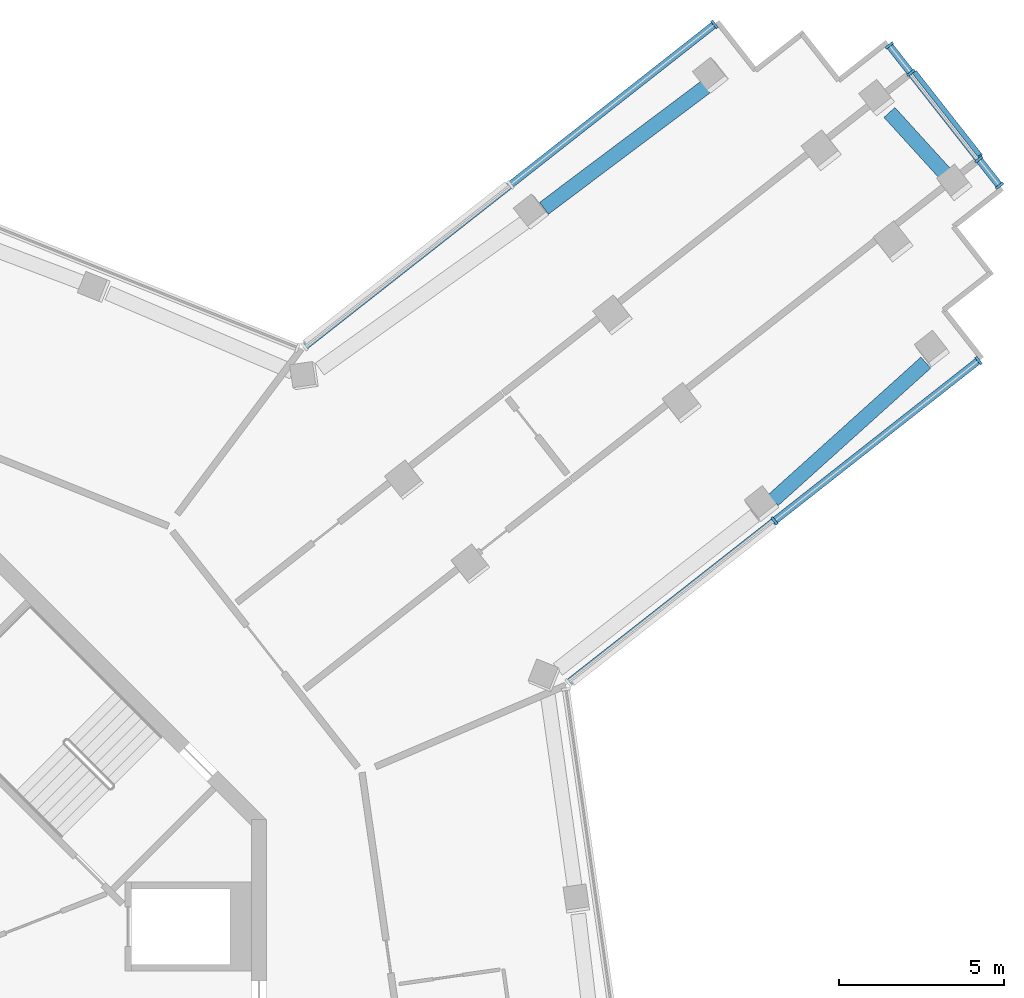
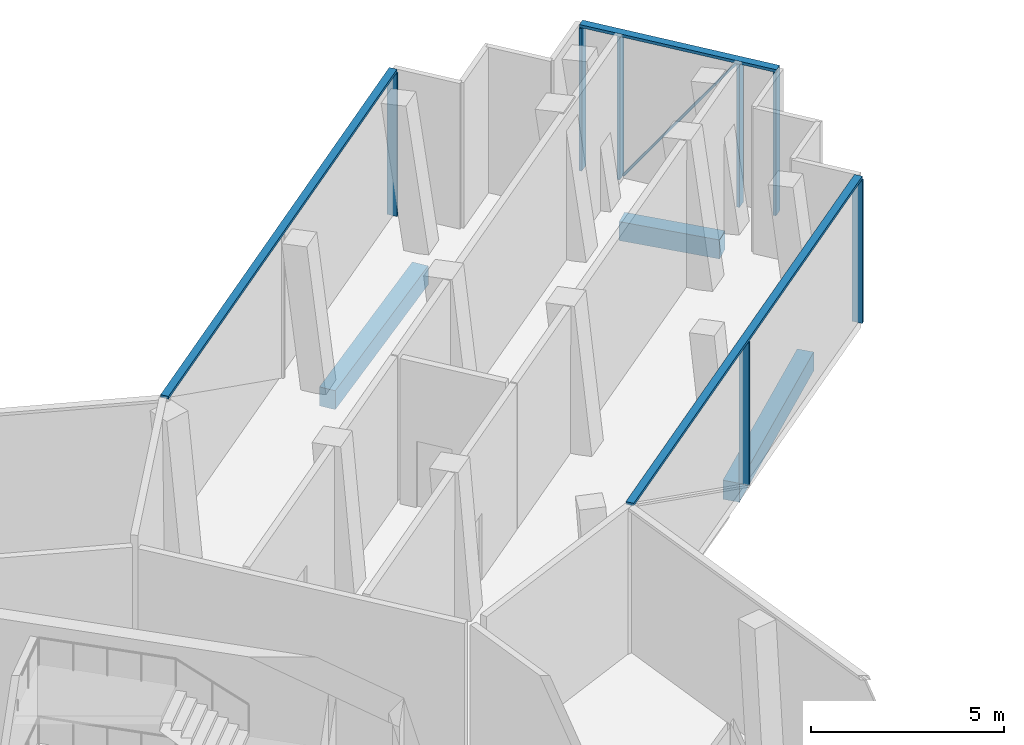
# One storey, part 6 of 19: 11 members, 3 beams, 3 elements without a shape of their own.
"""IFC4 building model written with IfcOpenShell, lengths in metres."""

from ifc_helpers import new_model, si_unit, direction, frame, origin, origin_2d, place, context, subcontext, project, spatial, rectangle, extrude, material, layer, layer_set, material_profile, profile_set, type_object, element, aggregate, save


model = new_model("IFC4")

# Units and contexts
model_context = context("Model", 3, precision=1e-05, world=origin(), true_north=direction((0.0, 1.0)))
body_context = subcontext(model_context, "Body", "Model", "MODEL_VIEW")
ifc_project = project(units=[si_unit("LENGTHUNIT", "METRE"), si_unit("AREAUNIT", "SQUARE_METRE"), si_unit("VOLUMEUNIT", "CUBIC_METRE"), si_unit("PLANEANGLEUNIT", "RADIAN"), si_unit("MASSUNIT", "GRAM", prefix="KILO")], contexts=[model_context])

# Site, building, storey
site_placement = place(None, origin())
site = spatial("IfcSite", under=ifc_project, at=site_placement, CompositionType="ELEMENT")
building_placement = place(site_placement, origin())
building = spatial("IfcBuilding", under=site, at=building_placement, Name="Verdalira Terraces Hotel", CompositionType="ELEMENT")
storey_placement = place(building_placement, frame((0.0, 0.0, 310.0)))
storey = spatial("IfcBuildingStorey", under=building, at=storey_placement, Name="L77", CompositionType="ELEMENT", Elevation=310.0)

# Curtain wall, members
ifc_material_1 = material(Name="Clear glass", Category="glass")
ifc_layer = layer(ifc_material_1, 0.280029296875)
ifc_layer_set = layer_set([ifc_layer], Name="CW6 curtain wall")
curtain_wall_type = type_object("IfcCurtainWallType", Name="CW6 curtain wall", PredefinedType="NOTDEFINED", material=ifc_layer_set)
curtain_wall_1_placement = place(storey_placement, origin())
curtain_wall_1 = element("IfcCurtainWall", 1, at=curtain_wall_1_placement, inside=storey, type_object=curtain_wall_type, Name="CW6 curtain wall L77 edge 28", PredefinedType="NOTDEFINED")
ifc_material_2 = material(Name="Terracotta frame", Category="masonry")
ifc_material_profile_1 = material_profile(ifc_material_2, rectangle(XDim=0.080078, YDim=0.280029, at=origin_2d()), Name="MU 80x280")
ifc_profile_set_1 = profile_set([ifc_material_profile_1], Name="Terracotta frame")
member_type_1 = type_object("IfcMemberType", Name="CW6 mullion 80x280", PredefinedType="MULLION", material=ifc_profile_set_1)
member_1_placement = place(storey_placement, frame((29.429932, 14.871826, 0.0), z_axis=(0.0, 0.0, 1.0), x_axis=(0.786288432, 0.617859613, 0.0)))
member_1 = element("IfcMember", 2, at=member_1_placement, type_object=member_type_1, Name="CW6 mullion", PredefinedType="MULLION", context=body_context, shape_type="SweptSolid", body=[
    extrude(rectangle(XDim=0.080078, YDim=0.280029, at=origin_2d()), origin(), (0.0, 0.0, 1.0), 4.51001),
])
member_2_placement = place(storey_placement, frame((35.626465, 19.741211, 0.0), z_axis=(0.0, 0.0, 1.0), x_axis=(0.786288432, 0.617859613, 0.0)))
member_2 = element("IfcMember", 3, at=member_2_placement, type_object=member_type_1, Name="CW6 mullion", PredefinedType="MULLION", context=body_context, shape_type="SweptSolid", body=[
    extrude(rectangle(XDim=0.080078, YDim=0.280029, at=origin_2d()), origin(), (0.0, 0.0, 1.0), 4.51001),
])

curtain_wall_2_placement = place(storey_placement, origin())
curtain_wall_2 = element("IfcCurtainWall", 4, at=curtain_wall_2_placement, inside=storey, type_object=curtain_wall_type, Name="CW6 curtain wall L77 edge 33", PredefinedType="NOTDEFINED")
member_3_placement = place(storey_placement, frame((36.263184, 25.048828, 0.0), z_axis=(0.0, 0.0, 1.0), x_axis=(-0.617859613, 0.786288432, 0.0)))
member_3 = element("IfcMember", 5, at=member_3_placement, type_object=member_type_1, Name="CW6 mullion", PredefinedType="MULLION", context=body_context, shape_type="SweptSolid", body=[
    extrude(rectangle(XDim=0.080078, YDim=0.280029, at=origin_2d()), origin(), (0.0, 0.0, 1.0), 4.51001),
])
member_4_placement = place(storey_placement, frame((35.633789, 25.849609, 0.0), z_axis=(0.0, 0.0, 1.0), x_axis=(-0.617859613, 0.786288432, 0.0)))
member_4 = element("IfcMember", 6, at=member_4_placement, type_object=member_type_1, Name="CW6 mullion", PredefinedType="MULLION", context=body_context, shape_type="SweptSolid", body=[
    extrude(rectangle(XDim=0.080078, YDim=0.280029, at=origin_2d()), origin(), (0.0, 0.0, 1.0), 4.51001),
])
member_5_placement = place(storey_placement, frame((33.569824, 28.476318, 0.0), z_axis=(0.0, 0.0, 1.0), x_axis=(-0.617859613, 0.786288432, 0.0)))
member_5 = element("IfcMember", 7, at=member_5_placement, type_object=member_type_1, Name="CW6 mullion", PredefinedType="MULLION", context=body_context, shape_type="SweptSolid", body=[
    extrude(rectangle(XDim=0.080078, YDim=0.280029, at=origin_2d()), origin(), (0.0, 0.0, 1.0), 4.51001),
])
member_6_placement = place(storey_placement, frame((32.914307, 29.310547, 0.0), z_axis=(0.0, 0.0, 1.0), x_axis=(-0.617859613, 0.786288432, 0.0)))
member_6 = element("IfcMember", 8, at=member_6_placement, type_object=member_type_1, Name="CW6 mullion", PredefinedType="MULLION", context=body_context, shape_type="SweptSolid", body=[
    extrude(rectangle(XDim=0.080078, YDim=0.280029, at=origin_2d()), origin(), (0.0, 0.0, 1.0), 4.51001),
])

# Curtain wall, member
curtain_wall_3_placement = place(storey_placement, origin())
curtain_wall_3 = element("IfcCurtainWall", 9, at=curtain_wall_3_placement, inside=storey, type_object=curtain_wall_type, Name="CW6 curtain wall L77 edge 38", PredefinedType="NOTDEFINED")
member_7_placement = place(storey_placement, frame((27.606689, 29.947266, 0.0), z_axis=(0.0, 0.0, 1.0), x_axis=(-0.786288432, -0.617859613, 0.0)))
member_7 = element("IfcMember", 10, at=member_7_placement, type_object=member_type_1, Name="CW6 mullion", PredefinedType="MULLION", context=body_context, shape_type="SweptSolid", body=[
    extrude(rectangle(XDim=0.080078, YDim=0.280029, at=origin_2d()), origin(), (0.0, 0.0, 1.0), 4.51001),
])

# Member
ifc_material_3 = material(Name="Terracotta frame", Category="masonry")
ifc_material_profile_2 = material_profile(ifc_material_3, rectangle(XDim=0.219971, YDim=0.090088, at=origin_2d()), Name="TR 90x220")
ifc_profile_set_2 = profile_set([ifc_material_profile_2], Name="Terracotta frame")
member_type_2 = type_object("IfcMemberType", Name="CW6 transom 90x220", PredefinedType="USERDEFINED", material=ifc_profile_set_2)
member_8_placement = place(storey_placement, frame((23.143066, 9.931641, 4.554932), z_axis=(0.786284805, 0.617864229, 0.0), x_axis=(-0.617864229, 0.786284805, 0.0)))
member_8 = element("IfcMember", 11, at=member_8_placement, type_object=member_type_2, Name="CW6 transom", ObjectType="TRANSOM", PredefinedType="USERDEFINED", context=body_context, shape_type="SweptSolid", body=[
    extrude(rectangle(XDim=0.219971, YDim=0.090088, at=origin_2d()), origin(), (0.0, 0.0, 1.0), 15.916504),
])

aggregate(curtain_wall_1, [member_1, member_2, member_8])

member_9_placement = place(storey_placement, frame((36.287842, 25.017334, 4.554932), z_axis=(-0.617845076, 0.786299855, 0.0), x_axis=(-0.786299855, -0.617845076, 0.0)))
member_9 = element("IfcMember", 12, at=member_9_placement, type_object=member_type_2, Name="CW6 transom", ObjectType="TRANSOM", PredefinedType="USERDEFINED", context=body_context, shape_type="SweptSolid", body=[
    extrude(rectangle(XDim=0.219971, YDim=0.090088, at=origin_2d()), origin(), (0.0, 0.0, 1.0), 5.5),
])

member_10_placement = place(storey_placement, frame((27.638184, 29.971924, 4.554932), z_axis=(-0.786290661, -0.617856777, 0.0), x_axis=(0.617856777, -0.786290661, 0.0)))
member_10 = element("IfcMember", 13, at=member_10_placement, type_object=member_type_2, Name="CW6 transom", ObjectType="TRANSOM", PredefinedType="USERDEFINED", context=body_context, shape_type="SweptSolid", body=[
    extrude(rectangle(XDim=0.219971, YDim=0.090088, at=origin_2d()), origin(), (0.0, 0.0, 1.0), 15.916748),
])

aggregate(curtain_wall_3, [member_7, member_10])

ifc_material_4 = material(Name="Terracotta frame", Category="masonry")
ifc_material_profile_3 = material_profile(ifc_material_4, rectangle(XDim=0.149902, YDim=0.060059, at=origin_2d()), Name="GB 60x150")
ifc_profile_set_3 = profile_set([ifc_material_profile_3], Name="Terracotta frame")
member_type_3 = type_object("IfcMemberType", Name="Diagonal glazing bar 60x150", PredefinedType="USERDEFINED", material=ifc_profile_set_3)
member_11_placement = place(storey_placement, frame((35.672119, 25.962891, 4.474854), z_axis=(-0.361995673, 0.460660997, -0.810401492), x_axis=(-0.786278745, -0.61787194, 0.0)))
member_11 = element("IfcMember", 14, at=member_11_placement, type_object=member_type_3, Name="Diagonal glazing bar", ObjectType="GLAZING BAR", PredefinedType="USERDEFINED", context=body_context, shape_type="SweptSolid", body=[
    extrude(rectangle(XDim=0.149902, YDim=0.060059, at=origin_2d()), origin(), (0.0, 0.0, 1.0), 5.478271),
])

aggregate(curtain_wall_2, [member_3, member_4, member_5, member_6, member_9, member_11])

# Beams
ifc_material_5 = material(Name="Concrete C40", Category="concrete")
ifc_material_profile_4 = material_profile(ifc_material_5, rectangle(XDim=0.449951, YDim=0.600098, at=origin_2d()), Name="RC 450X600")
ifc_profile_set_4 = profile_set([ifc_material_profile_4], Name="Concrete C40")
beam_type = type_object("IfcBeamType", Name="Spandrel beam RC 450X600 C40", PredefinedType="SPANDREL", material=ifc_profile_set_4)
beam_1_placement = place(storey_placement, frame((29.388916, 15.502197, -0.610107), z_axis=(0.74302364, 0.669265172, 0.0), x_axis=(-0.669265172, 0.74302364, 0.0)))
element("IfcBeam", 15, at=beam_1_placement, inside=storey, type_object=beam_type, Name="Spandrel beam B20", PredefinedType="SPANDREL", context=body_context, shape_type="SweptSolid", body=[
    extrude(rectangle(XDim=0.449951, YDim=0.600098, at=origin_2d()), origin(), (0.0, 0.0, 1.0), 6.239258),
])
beam_2_placement = place(storey_placement, frame((34.756104, 25.254639, -0.610107), z_axis=(-0.67259714, 0.740008843, 0.0), x_axis=(-0.740008843, -0.67259714, 0.0)))
element("IfcBeam", 16, at=beam_2_placement, inside=storey, type_object=beam_type, Name="Spandrel beam B21", PredefinedType="SPANDREL", context=body_context, shape_type="SweptSolid", body=[
    extrude(rectangle(XDim=0.449951, YDim=0.600098, at=origin_2d()), origin(), (0.0, 0.0, 1.0), 2.730713),
])
beam_3_placement = place(storey_placement, frame((27.340088, 28.050293, -0.610107), z_axis=(-0.799646549, -0.600470978, 0.0), x_axis=(0.600470978, -0.799646549, 0.0)))
element("IfcBeam", 17, at=beam_3_placement, inside=storey, type_object=beam_type, Name="Spandrel beam B22", PredefinedType="SPANDREL", context=body_context, shape_type="SweptSolid", body=[
    extrude(rectangle(XDim=0.449951, YDim=0.600098, at=origin_2d()), origin(), (0.0, 0.0, 1.0), 6.13623),
])

save(model, "model.ifc")
